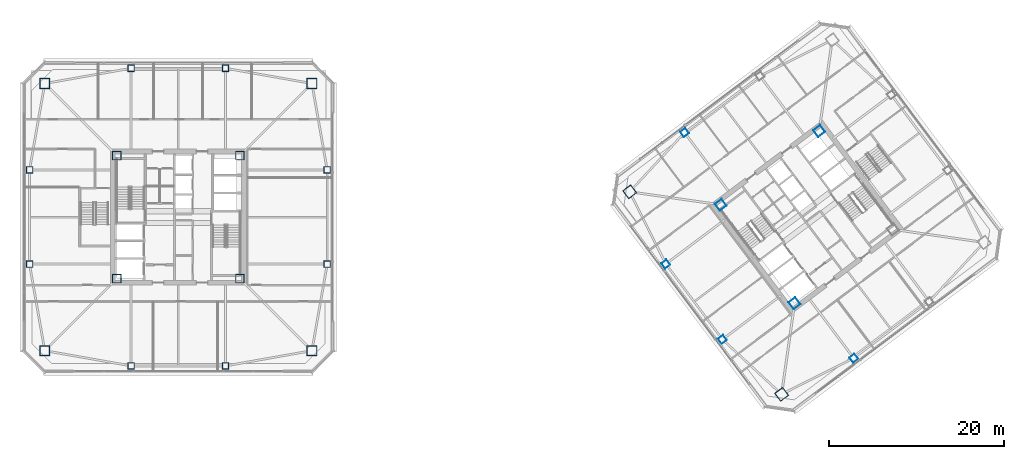
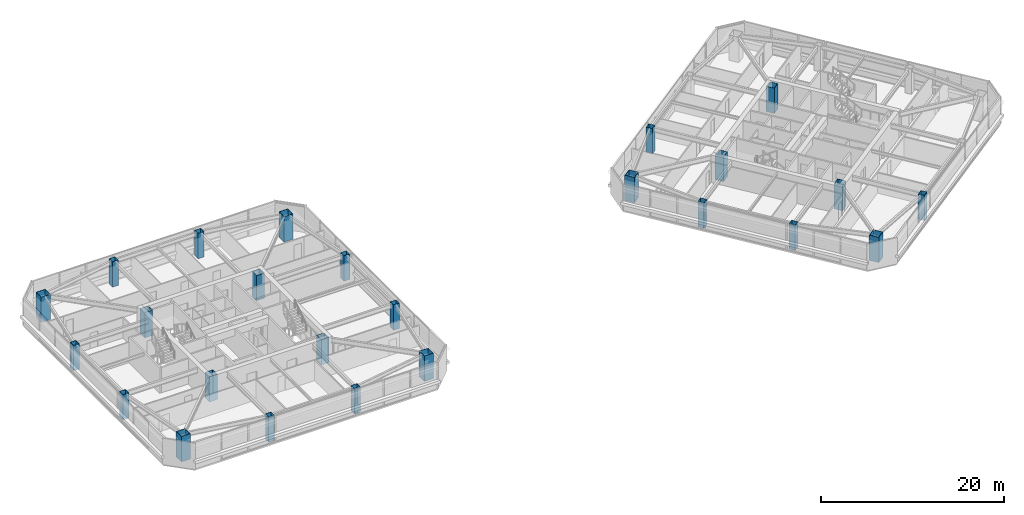
# One storey, part 1 of 43: 25 columns.
"""IFC4 building model written with IfcOpenShell, lengths in metres."""

from ifc_helpers import new_model, si_unit, direction, frame, origin, origin_2d, place, context, subcontext, project, spatial, hollow_rectangle, extrude, material, material_profile, profile_set, type_object, element, save


model = new_model("IFC4")

# Units and contexts
model_context = context("Model", 3, precision=1e-05, world=origin(), true_north=direction((0.0, 1.0)))
body_context = subcontext(model_context, "Body", "Model", "MODEL_VIEW")
ifc_project = project(units=[si_unit("LENGTHUNIT", "METRE"), si_unit("AREAUNIT", "SQUARE_METRE"), si_unit("VOLUMEUNIT", "CUBIC_METRE"), si_unit("PLANEANGLEUNIT", "RADIAN"), si_unit("MASSUNIT", "GRAM", prefix="KILO")], contexts=[model_context])

# Site, building, storey
site_placement = place(None, origin())
site = spatial("IfcSite", under=ifc_project, at=site_placement, CompositionType="ELEMENT")
building_placement = place(site_placement, origin())
building = spatial("IfcBuilding", under=site, at=building_placement, Name="Tashvorn Skyway Center", CompositionType="ELEMENT")
storey_placement = place(building_placement, frame((0.0, 0.0, 160.550048828125)))
storey = spatial("IfcBuildingStorey", under=building, at=storey_placement, Name="L43", CompositionType="ELEMENT", Elevation=160.550048828125)

# Columns
ifc_material = material(Name="Steel ASTM A572 Grade 50", Category="steel")
ifc_material_profile_1 = material_profile(ifc_material, hollow_rectangle(XDim=1.0, YDim=1.0, WallThickness=0.0400390625, at=origin_2d()), Name="BOX1000x1000x40")
ifc_profile_set_1 = profile_set([ifc_material_profile_1], Name="Steel ASTM A572 Grade 50")
column_type_1 = type_object("IfcColumnType", Name="COL-BOX1000x1000x40", PredefinedType="COLUMN", material=ifc_profile_set_1)
for number, where, z_axis, x_axis, name in (
    (1, (34.949951171875, 24.949951171875, 0.0), (0.0, 0.0, 1.0), (1.0, 0.0, 0.0), "Tower 1 L43 Core Corner Column CC-SW"),
    (2, (49.050048828125, 24.949951171875, 0.0), (0.0, 0.0, 1.0), (1.0, 0.0, 0.0), "Tower 1 L43 Core Corner Column CC-SE"),
    (3, (49.050048828125, 39.050048828125, 0.0), (0.0, 0.0, 1.0), (1.0, 0.0, 0.0), "Tower 1 L43 Core Corner Column CC-NE"),
    (4, (34.949951171875, 39.050048828125, 0.0), (0.0, 0.0, 1.0), (1.0, 0.0, 0.0), "Tower 1 L43 Core Corner Column CC-NW"),
    (5, (112.590087890625, 22.1298828125, 0.0), (0.0, 0.0, 1.0), (0.799999996291, 0.600000004945, 0.0), "Tower 2 L43 Core Corner Column CC-SW"),
    (6, (115.409912109375, 41.8701171875, 0.0), (0.0, 0.0, 1.0), (0.799999996291, 0.600000004945, 0.0), "Tower 2 L43 Core Corner Column CC-NE"),
    (7, (104.1298828125, 33.409912109375, 0.0), (0.0, 0.0, 1.0), (0.799999996291, 0.600000004945, 0.0), "Tower 2 L43 Core Corner Column CC-NW"),
):
    element("IfcColumn", number, at=place(storey_placement, frame(where, z_axis=z_axis, x_axis=x_axis)), inside=storey, type_object=column_type_1, Name=name, PredefinedType="COLUMN", context=body_context, shape_type="SweptSolid", body=[
        extrude(hollow_rectangle(XDim=1.0, YDim=1.0, WallThickness=0.0400390625, at=origin_2d()), origin(), (0.0, 0.0, 1.0), 3.369873046875),
    ])
ifc_material_profile_2 = material_profile(ifc_material, hollow_rectangle(XDim=1.14990234375, YDim=1.14990234375, WallThickness=0.044921875, at=origin_2d()), Name="BOX1150x1150x45")
ifc_profile_set_2 = profile_set([ifc_material_profile_2], Name="Steel ASTM A572 Grade 50")
column_type_2 = type_object("IfcColumnType", Name="COL-BOX1150x1150x45", PredefinedType="COLUMN", material=ifc_profile_set_2)
for number, where, z_axis, x_axis, name in (
    (8, (26.699951171875, 16.699951171875, 0.0), (0.0, 0.0, 1.0), (1.0, 0.0, 0.0), "Tower 1 L43 Mega-Column MC-SW"),
    (9, (57.300048828125, 16.699951171875, 0.0), (0.0, 0.0, 1.0), (1.0, 0.0, 0.0), "Tower 1 L43 Mega-Column MC-SE"),
    (10, (57.300048828125, 47.300048828125, 0.0), (0.0, 0.0, 1.0), (1.0, 0.0, 0.0), "Tower 1 L43 Mega-Column MC-NE"),
    (11, (26.699951171875, 47.300048828125, 0.0), (0.0, 0.0, 1.0), (1.0, 0.0, 0.0), "Tower 1 L43 Mega-Column MC-NW"),
    (12, (111.10009765625, 11.699951171875, 0.0), (0.0, 0.0, 1.0), (0.799999996291, 0.600000004945, 0.0), "Tower 2 L43 Mega-Column MC-SW"),
    (13, (93.699951171875, 34.89990234375, 0.0), (0.0, 0.0, 1.0), (0.799999996291, 0.600000004945, 0.0), "Tower 2 L43 Mega-Column MC-NW"),
):
    element("IfcColumn", number, at=place(storey_placement, frame(where, z_axis=z_axis, x_axis=x_axis)), inside=storey, type_object=column_type_2, Name=name, PredefinedType="COLUMN", context=body_context, shape_type="SweptSolid", body=[
        extrude(hollow_rectangle(XDim=1.14990234375, YDim=1.14990234375, WallThickness=0.044921875, at=origin_2d()), origin(), (0.0, 0.0, 1.0), 3.369873046875),
    ])
ifc_material_profile_3 = material_profile(ifc_material, hollow_rectangle(XDim=0.75, YDim=0.75, WallThickness=0.031982421875, at=origin_2d()), Name="BOX750x750x32")
ifc_profile_set_3 = profile_set([ifc_material_profile_3], Name="Steel ASTM A572 Grade 50")
column_type_3 = type_object("IfcColumnType", Name="COL-BOX750x750x32", PredefinedType="COLUMN", material=ifc_profile_set_3)
for number, where, z_axis, x_axis, name in (
    (14, (36.60009765625, 14.949951171875, 0.0), (0.0, 0.0, 1.0), (1.0, 0.0, 0.0), "Tower 1 L43 Perimeter Column FC-S1"),
    (15, (47.39990234375, 14.949951171875, 0.0), (0.0, 0.0, 1.0), (1.0, 0.0, 0.0), "Tower 1 L43 Perimeter Column FC-S2"),
    (16, (59.050048828125, 26.60009765625, 0.0), (0.0, 0.0, 1.0), (1.0, 0.0, 0.0), "Tower 1 L43 Perimeter Column FC-E1"),
    (17, (59.050048828125, 37.39990234375, 0.0), (0.0, 0.0, 1.0), (1.0, 0.0, 0.0), "Tower 1 L43 Perimeter Column FC-E2"),
    (18, (47.39990234375, 49.050048828125, 0.0), (0.0, 0.0, 1.0), (1.0, 0.0, 0.0), "Tower 1 L43 Perimeter Column FC-N1"),
    (19, (36.60009765625, 49.050048828125, 0.0), (0.0, 0.0, 1.0), (1.0, 0.0, 0.0), "Tower 1 L43 Perimeter Column FC-N2"),
    (20, (24.949951171875, 37.39990234375, 0.0), (0.0, 0.0, 1.0), (1.0, 0.0, 0.0), "Tower 1 L43 Perimeter Column FC-W1"),
    (21, (24.949951171875, 26.60009765625, 0.0), (0.0, 0.0, 1.0), (1.0, 0.0, 0.0), "Tower 1 L43 Perimeter Column FC-W2"),
    (22, (119.3701171875, 15.840087890625, 0.0), (0.0, 0.0, 1.0), (0.799999996291, 0.600000004945, 0.0), "Tower 2 L43 Perimeter Column FC-S1"),
    (23, (99.989990234375, 41.679931640625, 0.0), (0.0, 0.0, 1.0), (0.799999996291, 0.600000004945, 0.0), "Tower 2 L43 Perimeter Column FC-N2"),
    (24, (97.840087890625, 26.6298828125, 0.0), (0.0, 0.0, 1.0), (0.799999996291, 0.600000004945, 0.0), "Tower 2 L43 Perimeter Column FC-W1"),
    (25, (104.320068359375, 17.989990234375, 0.0), (0.0, 0.0, 1.0), (0.799999996291, 0.600000004945, 0.0), "Tower 2 L43 Perimeter Column FC-W2"),
):
    element("IfcColumn", number, at=place(storey_placement, frame(where, z_axis=z_axis, x_axis=x_axis)), inside=storey, type_object=column_type_3, Name=name, PredefinedType="COLUMN", context=body_context, shape_type="SweptSolid", body=[
        extrude(hollow_rectangle(XDim=0.75, YDim=0.75, WallThickness=0.031982421875, at=origin_2d()), origin(), (0.0, 0.0, 1.0), 3.369873046875),
    ])

save(model, "model.ifc")
